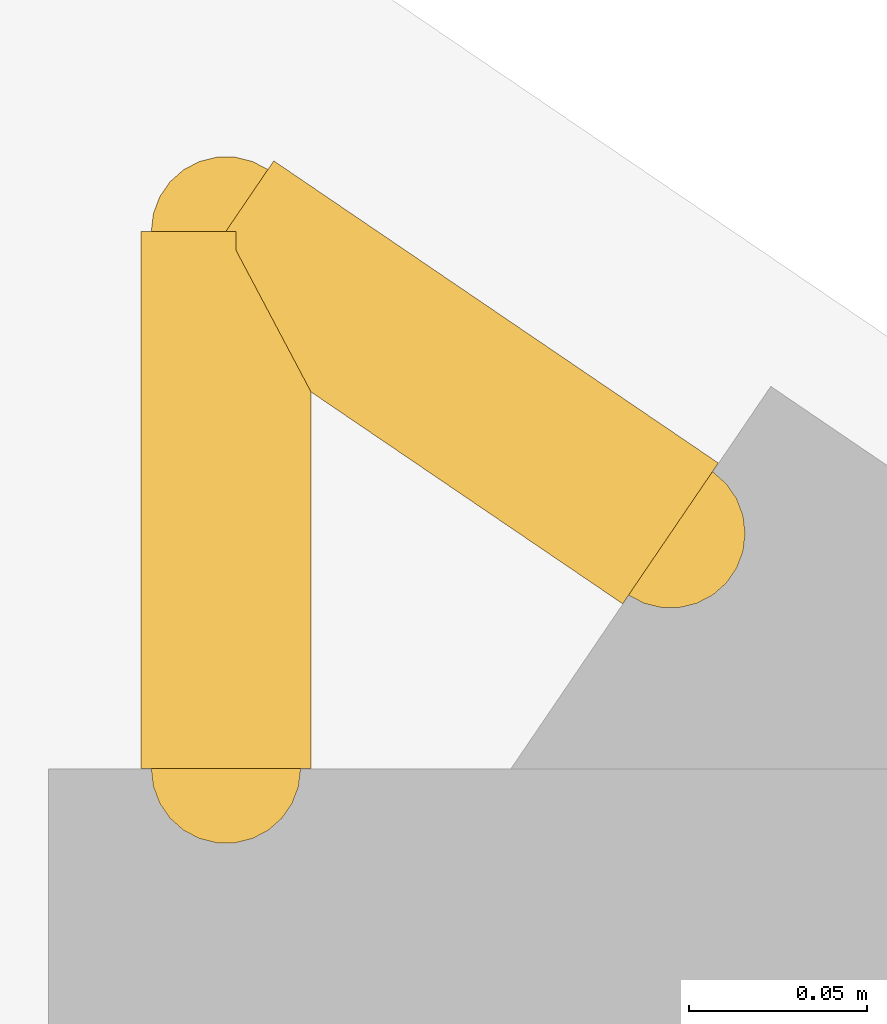
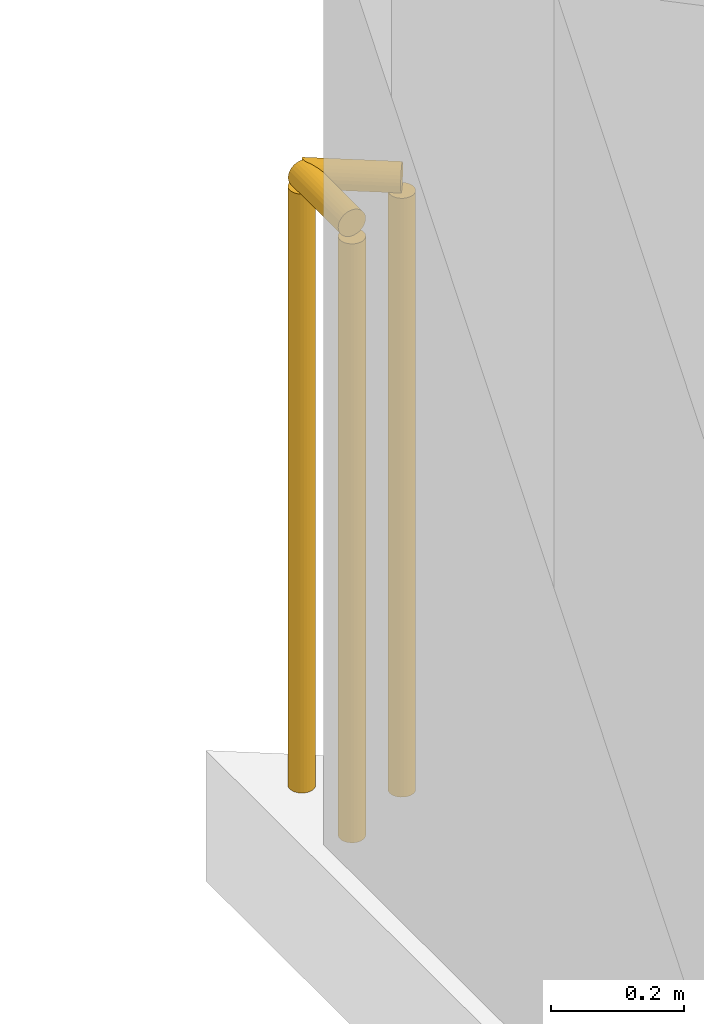
# One storey, part 18 of 19: 2 railings.
"""IFC4 building model written with IfcOpenShell, lengths in metres."""

from ifc_helpers import new_model, si_unit, direction, frame, origin, origin_2d, place, context, subcontext, project, spatial, circle, extrude, material, type_object, element, save


model = new_model("IFC4")

# Units and contexts
model_context = context("Model", 3, precision=1e-05, world=origin(), true_north=direction((0.0, 1.0)))
body_context = subcontext(model_context, "Body", "Model", "MODEL_VIEW")
ifc_project = project(units=[si_unit("LENGTHUNIT", "METRE"), si_unit("AREAUNIT", "SQUARE_METRE"), si_unit("VOLUMEUNIT", "CUBIC_METRE"), si_unit("PLANEANGLEUNIT", "RADIAN"), si_unit("MASSUNIT", "GRAM", prefix="KILO")], contexts=[model_context])

# Site, building, storey
site_placement = place(None, origin())
site = spatial("IfcSite", under=ifc_project, at=site_placement, CompositionType="ELEMENT")
building_placement = place(site_placement, origin())
building = spatial("IfcBuilding", under=site, at=building_placement, Name="Varnakote Quay Hospital", CompositionType="ELEMENT")
storey_placement = place(building_placement, frame((0.0, 0.0, 85.699951171875)))
storey = spatial("IfcBuildingStorey", under=building, at=storey_placement, Name="L21", CompositionType="ELEMENT", Elevation=85.699951171875)

# Railings
ifc_material = material(Name="Anodised aluminium 6063-T6 Bronze", Category="aluminium")
railing_type = type_object("IfcRailingType", Name="RLG-EXT-GUARD-1150", PredefinedType="GUARDRAIL", material=ifc_material)
railing_1_placement = place(storey_placement, frame((2.679931640625, 43.497802734375, 0.0)))
element("IfcRailing", 1, at=railing_1_placement, inside=storey, type_object=railing_type, Name="L21 Slab Edge Perimeter Safety Guard", PredefinedType="GUARDRAIL", context=body_context, shape_type="SweptSolid", body=[
    extrude(circle(Radius=0.02392578125, at=origin_2d()), frame((0.0, 0.0, 1.1259765625), z_axis=(0.0, 1.0, 0.0), x_axis=(-1.0, 0.0, 0.0)), (0.0, 0.0, 1.0), 0.151123046875),
    extrude(circle(Radius=0.02099609375, at=origin_2d()), origin(), (0.0, 0.0, 1.0), 1.101806640625),
    extrude(circle(Radius=0.02099609375, at=origin_2d()), frame((0.0, 0.151123046875, 0.0)), (0.0, 0.0, 1.0), 1.101806640625),
])
railing_2_placement = place(storey_placement, frame((2.679931640625, 43.64892578125, 0.0)))
element("IfcRailing", 2, at=railing_2_placement, inside=storey, type_object=railing_type, Name="L21 Slab Edge Perimeter Safety Guard", PredefinedType="GUARDRAIL", context=body_context, shape_type="SweptSolid", body=[
    extrude(circle(Radius=0.02392578125, at=origin_2d()), frame((0.0, 0.0, 1.1259765625), z_axis=(0.827046660574, -0.562133277109, 0.0), x_axis=(0.562133277109, 0.827046660574, 0.0)), (0.0, 0.0, 1.0), 0.151123046875),
    extrude(circle(Radius=0.02099609375, at=origin_2d()), origin(), (0.0, 0.0, 1.0), 1.101806640625),
    extrude(circle(Radius=0.02099609375, at=origin_2d()), frame((0.125, -0.0849609375, 0.0)), (0.0, 0.0, 1.0), 1.101806640625),
])

save(model, "model.ifc")
